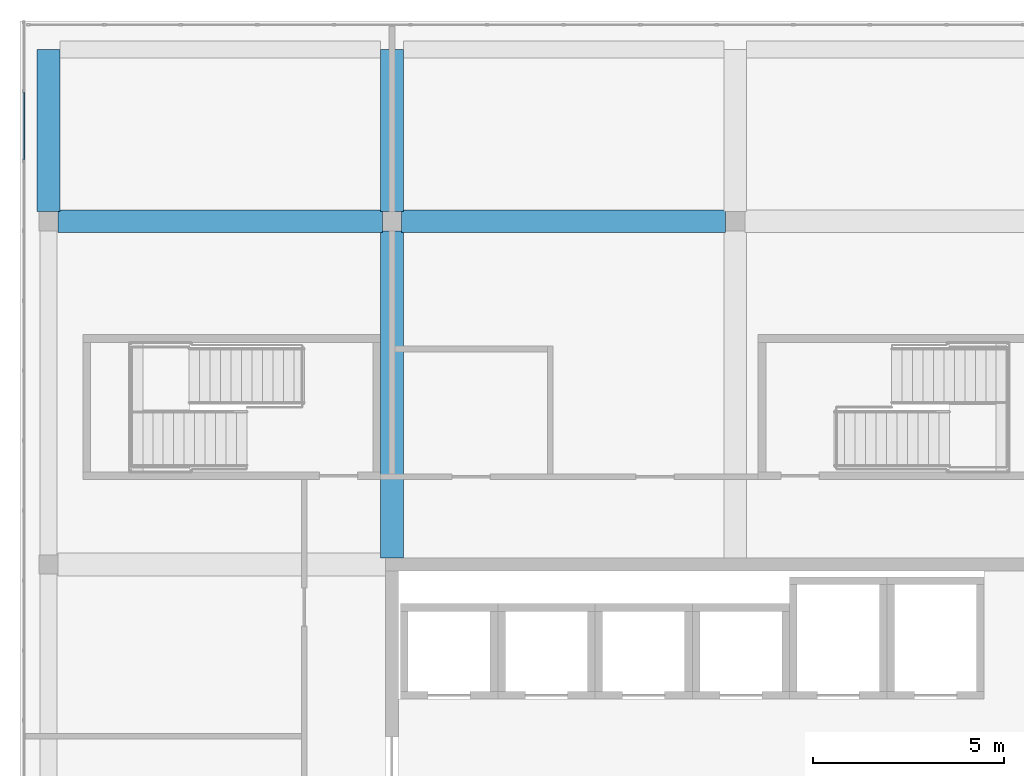
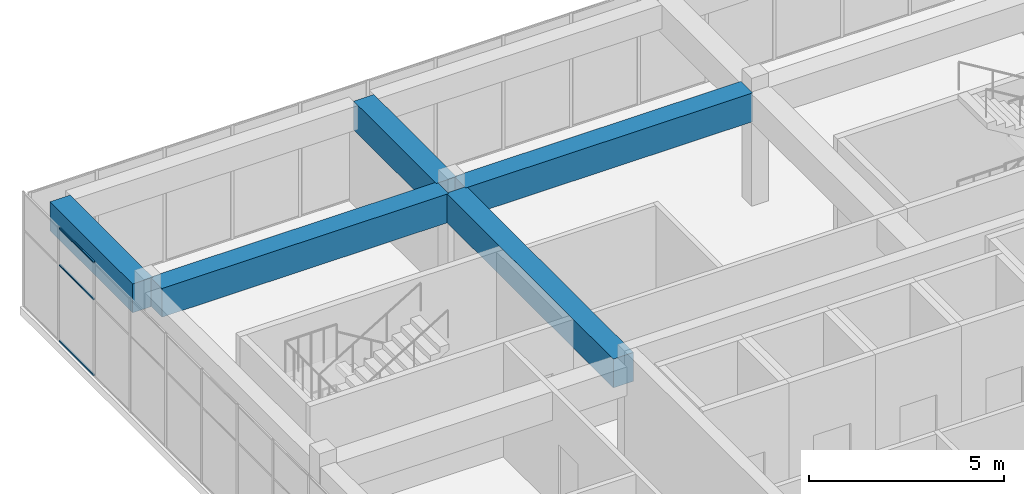
# One storey, part 22 of 36: 5 beams, 3 members, 1 element without a shape of its own.
"""IFC4 building model written with IfcOpenShell, lengths in metres."""

from ifc_helpers import new_model, si_unit, direction, frame, origin, origin_2d, place, context, subcontext, project, spatial, rectangle, hollow_rectangle, extrude, material, layer, layer_set, material_profile, profile_set, type_object, element, aggregate, save


model = new_model("IFC4")

# Units and contexts
model_context = context("Model", 3, precision=1e-05, world=origin(), true_north=direction((0.0, 1.0)))
body_context = subcontext(model_context, "Body", "Model", "MODEL_VIEW")
ifc_project = project(units=[si_unit("LENGTHUNIT", "METRE"), si_unit("AREAUNIT", "SQUARE_METRE"), si_unit("VOLUMEUNIT", "CUBIC_METRE"), si_unit("PLANEANGLEUNIT", "RADIAN"), si_unit("MASSUNIT", "GRAM", prefix="KILO")], contexts=[model_context])

# Site, building, storey
site_placement = place(None, origin())
site = spatial("IfcSite", under=ifc_project, at=site_placement, CompositionType="ELEMENT")
building_placement = place(site_placement, origin())
building = spatial("IfcBuilding", under=site, at=building_placement, Name="Tuart Plaza Theatre", CompositionType="ELEMENT")
storey_placement = place(building_placement, frame((0.0, 0.0, 61.5)))
storey = spatial("IfcBuildingStorey", under=building, at=storey_placement, Name="L15", CompositionType="ELEMENT", Elevation=61.5)

# Beams
ifc_material_1 = material(Name="Concrete N40 (40 MPa)", Category="concrete")
ifc_material_profile_1 = material_profile(ifc_material_1, rectangle(XDim=0.60009765625, YDim=0.89990234375, at=origin_2d()), Name="BEAM 600x900 Concrete N40 (40 MPa)")
ifc_profile_set_1 = profile_set([ifc_material_profile_1], Name="Concrete N40 (40 MPa)")
beam_type = type_object("IfcBeamType", Name="BEAM 600x900 Concrete N40 (40 MPa)", PredefinedType="BEAM", material=ifc_profile_set_1)
beam_1_placement = place(storey_placement, frame((114.0, 92.25, 3.1298828125), z_axis=(0.0, 1.0, 0.0), x_axis=(-1.0, 0.0, 0.0)))
element("IfcBeam", 1, at=beam_1_placement, inside=storey, type_object=beam_type, Name="RB324", PredefinedType="BEAM", context=body_context, shape_type="SweptSolid", body=[
    extrude(rectangle(XDim=0.60009765625, YDim=0.89990234375, at=origin_2d()), origin(), (0.0, 0.0, 1.0), 4.25),
])
beam_2_placement = place(storey_placement, frame((114.25, 92.0, 3.1298828125), z_axis=(1.0, 0.0, 0.0), x_axis=(0.0, 1.0, 0.0)))
element("IfcBeam", 2, at=beam_2_placement, inside=storey, type_object=beam_type, Name="RB325", PredefinedType="BEAM", context=body_context, shape_type="SweptSolid", body=[
    extrude(rectangle(XDim=0.60009765625, YDim=0.89990234375, at=origin_2d()), origin(), (0.0, 0.0, 1.0), 8.5),
])
beam_3_placement = place(storey_placement, frame((123.0, 83.175048828125, 3.1298828125), z_axis=(0.0, 1.0, 0.0), x_axis=(-1.0, 0.0, 0.0)))
element("IfcBeam", 3, at=beam_3_placement, inside=storey, type_object=beam_type, Name="RB329", PredefinedType="BEAM", context=body_context, shape_type="SweptSolid", body=[
    extrude(rectangle(XDim=0.60009765625, YDim=0.89990234375, at=origin_2d()), origin(), (0.0, 0.0, 1.0), 8.574951171875),
])
beam_4_placement = place(storey_placement, frame((123.0, 92.25, 3.1298828125), z_axis=(0.0, 1.0, 0.0), x_axis=(-1.0, 0.0, 0.0)))
element("IfcBeam", 4, at=beam_4_placement, inside=storey, type_object=beam_type, Name="RB330", PredefinedType="BEAM", context=body_context, shape_type="SweptSolid", body=[
    extrude(rectangle(XDim=0.60009765625, YDim=0.89990234375, at=origin_2d()), origin(), (0.0, 0.0, 1.0), 4.25),
])
beam_5_placement = place(storey_placement, frame((123.25, 92.0, 3.1298828125), z_axis=(1.0, 0.0, 0.0), x_axis=(0.0, 1.0, 0.0)))
element("IfcBeam", 5, at=beam_5_placement, inside=storey, type_object=beam_type, Name="RB331", PredefinedType="BEAM", context=body_context, shape_type="SweptSolid", body=[
    extrude(rectangle(XDim=0.60009765625, YDim=0.89990234375, at=origin_2d()), origin(), (0.0, 0.0, 1.0), 8.5),
])

# Curtain wall, members
ifc_material_2 = material(Name="Aluminium and glass", Category="aluminium")
ifc_layer = layer(ifc_material_2, 0.10009765625)
ifc_layer_set = layer_set([ifc_layer], Name="CURTAIN WALL 1800 module")
curtain_wall_type = type_object("IfcCurtainWallType", Name="CURTAIN WALL 1800 module", PredefinedType="NOTDEFINED", material=ifc_layer_set)
curtain_wall_placement = place(storey_placement, origin())
curtain_wall = element("IfcCurtainWall", 6, at=curtain_wall_placement, inside=storey, type_object=curtain_wall_type, Name="CW118", PredefinedType="NOTDEFINED")
ifc_material_3 = material(Name="Aluminium 6063-T5", Category="aluminium")
ifc_material_profile_2 = material_profile(ifc_material_3, hollow_rectangle(XDim=0.050048828125, YDim=0.050048828125, WallThickness=0.00390625, InnerFilletRadius=0.00390625, OuterFilletRadius=0.008056640625, at=origin_2d()), Name="RHS 50x50x4")
ifc_profile_set_2 = profile_set([ifc_material_profile_2], Name="Aluminium 6063-T5")
member_type = type_object("IfcMemberType", Name="TRANSOM RHS 50x50x4", PredefinedType="USERDEFINED", material=ifc_profile_set_2)
member_1_placement = place(storey_placement, frame((113.35009765625, 95.3916015625, 0.02490234375), z_axis=(0.0, -1.0, 0.0), x_axis=(1.0, 0.0, 0.0)))
member_1 = element("IfcMember", 7, at=member_1_placement, type_object=member_type, Name="CW118 transom 2.1", ObjectType="TRANSOM", PredefinedType="USERDEFINED", context=body_context, shape_type="SweptSolid", body=[
    extrude(hollow_rectangle(XDim=0.050048828125, YDim=0.050048828125, WallThickness=0.00390625, InnerFilletRadius=0.00390625, OuterFilletRadius=0.008056640625, at=origin_2d()), origin(), (0.0, 0.0, 1.0), 1.783203125),
])
member_2_placement = place(storey_placement, frame((113.35009765625, 95.3916015625, 2.39990234375), z_axis=(0.0, -1.0, 0.0), x_axis=(1.0, 0.0, 0.0)))
member_2 = element("IfcMember", 8, at=member_2_placement, type_object=member_type, Name="CW118 transom 2.2", ObjectType="TRANSOM", PredefinedType="USERDEFINED", context=body_context, shape_type="SweptSolid", body=[
    extrude(hollow_rectangle(XDim=0.050048828125, YDim=0.050048828125, WallThickness=0.00390625, InnerFilletRadius=0.00390625, OuterFilletRadius=0.008056640625, at=origin_2d()), origin(), (0.0, 0.0, 1.0), 1.783203125),
])
member_3_placement = place(storey_placement, frame((113.35009765625, 95.3916015625, 3.554931640625), z_axis=(0.0, -1.0, 0.0), x_axis=(1.0, 0.0, 0.0)))
member_3 = element("IfcMember", 9, at=member_3_placement, type_object=member_type, Name="CW118 transom 2.3", ObjectType="TRANSOM", PredefinedType="USERDEFINED", context=body_context, shape_type="SweptSolid", body=[
    extrude(hollow_rectangle(XDim=0.050048828125, YDim=0.050048828125, WallThickness=0.00390625, InnerFilletRadius=0.00390625, OuterFilletRadius=0.008056640625, at=origin_2d()), origin(), (0.0, 0.0, 1.0), 1.783203125),
])
aggregate(curtain_wall, [member_1, member_2, member_3])

save(model, "model.ifc")
